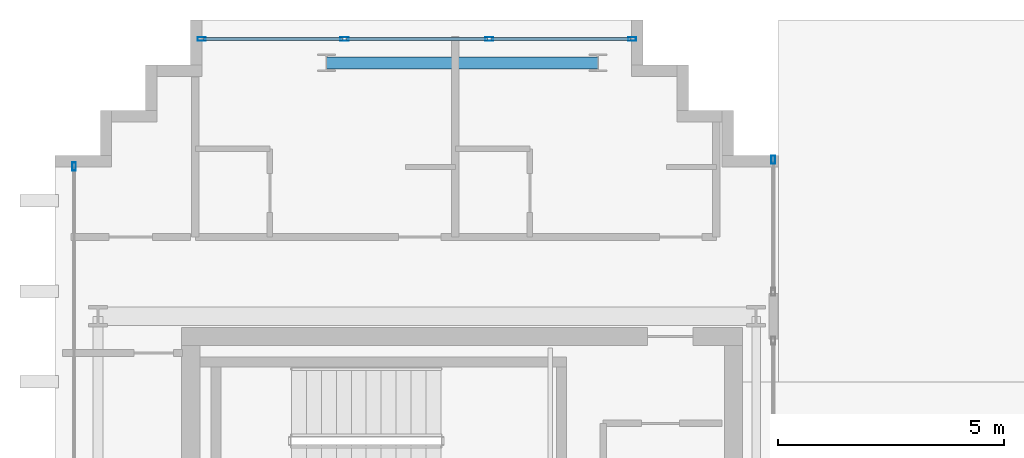
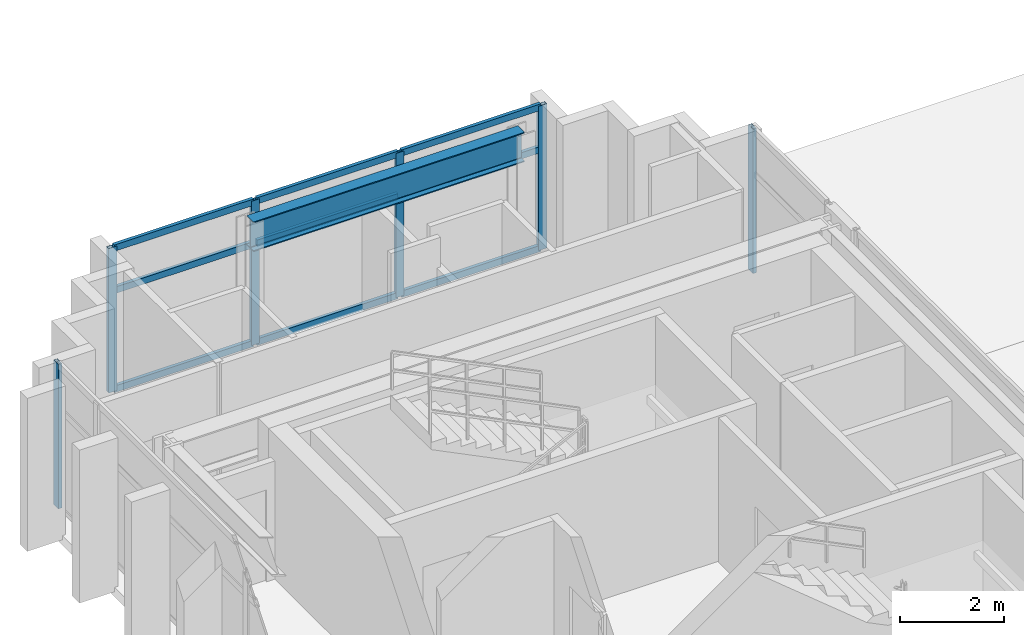
# One storey, part 16 of 25: 15 members, 1 beam, 3 elements without a shape of their own.
"""IFC4 building model written with IfcOpenShell, lengths in metres."""

from ifc_helpers import new_model, si_unit, direction, frame, origin, origin_2d, place, context, subcontext, project, spatial, hollow_rectangle, i_section, extrude, source, transform, mapped, material, layer, layer_set, material_profile, profile_set, type_object, element, aggregate, save


model = new_model("IFC4")

# Units and contexts
model_context = context("Model", 3, precision=1e-05, world=origin(), true_north=direction((0.0, 1.0)))
body_context = subcontext(model_context, "Body", "Model", "MODEL_VIEW")
ifc_project = project(units=[si_unit("LENGTHUNIT", "METRE"), si_unit("AREAUNIT", "SQUARE_METRE"), si_unit("VOLUMEUNIT", "CUBIC_METRE"), si_unit("PLANEANGLEUNIT", "RADIAN"), si_unit("MASSUNIT", "GRAM", prefix="KILO")], contexts=[model_context])

# Site, building, storey
site_placement = place(None, origin())
site = spatial("IfcSite", under=ifc_project, at=site_placement, CompositionType="ELEMENT")
building_placement = place(site_placement, origin())
building = spatial("IfcBuilding", under=site, at=building_placement, Name="Ocotamira Hotel", CompositionType="ELEMENT")
storey_placement = place(building_placement, frame((0.0, 0.0, 250.800048828125)))
storey = spatial("IfcBuildingStorey", under=building, at=storey_placement, Name="L63", CompositionType="ELEMENT", Elevation=250.800048828125)

# Beam
ifc_material_1 = material(Name="Steel ASTM A992 Grade 50", Category="steel")
ifc_material_profile_1 = material_profile(ifc_material_1, i_section(OverallWidth=0.256103515625, OverallDepth=0.693115234375, WebThickness=0.014404296875, FlangeThickness=0.023681640625, FilletRadius=0.01611328125, at=origin_2d()), Name="W27X114")
ifc_profile_set_1 = profile_set([ifc_material_profile_1], Name="Steel ASTM A992 Grade 50")
beam_type = type_object("IfcBeamType", Name="BM-PRIM-W27X114", PredefinedType="BEAM", material=ifc_profile_set_1)
shared_shape_1 = source(origin(), body_context, "Body", "SweptSolid", [
    extrude(i_section(OverallWidth=0.256103515625, OverallDepth=0.693115234375, WebThickness=0.014404296875, FlangeThickness=0.023681640625, FilletRadius=0.01611328125, at=origin_2d()), origin(), (0.0, 0.0, 1.0), 6.0),
])
beam_placement = place(storey_placement, frame((14.0, 43.050048828125, 3.033447265625), z_axis=(1.0, 0.0, 0.0), x_axis=(0.0, 1.0, 0.0)))
element("IfcBeam", 1, at=beam_placement, inside=storey, type_object=beam_type, Name="L63 Girder Y43.05 X14-20", PredefinedType="BEAM", context=body_context, shape_type="MappedRepresentation", body=[
    mapped(shared_shape_1, transform((0.0, 0.0, 0.0), scale=1.0)),
])

# Curtain wall, members
ifc_material_2 = material(Name="Anodised pale-metal aluminium and solar glass", Category="aluminium")
ifc_layer = layer(ifc_material_2, 0.2099609375)
ifc_layer_set = layer_set([ifc_layer], Name="Anodised pale-metal aluminium and solar glass")
curtain_wall_type = type_object("IfcCurtainWallType", Name="CW-SYS7-PEAK", PredefinedType="NOTDEFINED", material=ifc_layer_set)
curtain_wall_1_placement = place(storey_placement, origin())
curtain_wall_1 = element("IfcCurtainWall", 2, at=curtain_wall_1_placement, inside=storey, type_object=curtain_wall_type, Name="L63 Curtain Wall CW-7 CW-L63-WN", PredefinedType="NOTDEFINED")
ifc_material_3 = material(Name="Anodised pale-metal aluminium 6063-T6", Category="aluminium")
ifc_material_profile_2 = material_profile(ifc_material_3, hollow_rectangle(XDim=0.080078125, YDim=0.179931640625, WallThickness=0.006103515625, at=origin_2d()), Name="HSS180X80X6")
ifc_profile_set_2 = profile_set([ifc_material_profile_2], Name="Anodised pale-metal aluminium 6063-T6")
member_type_1 = type_object("IfcMemberType", Name="CWM-180X75", PredefinedType="MULLION", material=ifc_profile_set_2)
shared_shape_2 = source(origin(), body_context, "Body", "SweptSolid", [
    extrude(hollow_rectangle(XDim=0.080078125, YDim=0.179931640625, WallThickness=0.006103515625, at=origin_2d()), origin(), (0.0, 0.0, 1.0), 3.3798828125),
])
member_1_placement = place(storey_placement, frame((11.239990234375, 43.580078125, 0.0), z_axis=(0.0, 0.0, 1.0), x_axis=(0.0, 1.0, 0.0)))
member_1 = element("IfcMember", 3, at=member_1_placement, type_object=member_type_1, Name="CW-7 mullion 1", PredefinedType="MULLION", context=body_context, shape_type="MappedRepresentation", body=[
    mapped(shared_shape_2, transform((0.0, 0.0, 0.0), scale=1.0)),
])
member_2_placement = place(storey_placement, frame((14.39990234375, 43.580078125, 0.0), z_axis=(0.0, 0.0, 1.0), x_axis=(0.0, 1.0, 0.0)))
member_2 = element("IfcMember", 4, at=member_2_placement, type_object=member_type_1, Name="CW-7 mullion 2", PredefinedType="MULLION", context=body_context, shape_type="MappedRepresentation", body=[
    mapped(shared_shape_2, transform((0.0, 0.0, 0.0), scale=1.0)),
])
member_3_placement = place(storey_placement, frame((17.60009765625, 43.580078125, 0.0), z_axis=(0.0, 0.0, 1.0), x_axis=(0.0, 1.0, 0.0)))
member_3 = element("IfcMember", 5, at=member_3_placement, type_object=member_type_1, Name="CW-7 mullion 3", PredefinedType="MULLION", context=body_context, shape_type="MappedRepresentation", body=[
    mapped(shared_shape_2, transform((0.0, 0.0, 0.0), scale=1.0)),
])
member_4_placement = place(storey_placement, frame((20.760009765625, 43.580078125, 0.0), z_axis=(0.0, 0.0, 1.0), x_axis=(0.0, 1.0, 0.0)))
member_4 = element("IfcMember", 6, at=member_4_placement, type_object=member_type_1, Name="CW-7 mullion 4", PredefinedType="MULLION", context=body_context, shape_type="MappedRepresentation", body=[
    mapped(shared_shape_2, transform((0.0, 0.0, 0.0), scale=1.0)),
])

# Curtain wall, member
curtain_wall_2_placement = place(storey_placement, origin())
curtain_wall_2 = element("IfcCurtainWall", 7, at=curtain_wall_2_placement, inside=storey, type_object=curtain_wall_type, Name="L63 Curtain Wall CW-7 CW-L63-WO2", PredefinedType="NOTDEFINED")
member_5_placement = place(storey_placement, frame((8.419921875, 40.760009765625, 0.0), z_axis=(0.0, 0.0, 1.0), x_axis=(-1.0, 0.0, 0.0)))
member_5 = element("IfcMember", 8, at=member_5_placement, type_object=member_type_1, Name="CW-7 mullion 3", PredefinedType="MULLION", context=body_context, shape_type="MappedRepresentation", body=[
    mapped(shared_shape_2, transform((0.0, 0.0, 0.0), scale=1.0)),
])
aggregate(curtain_wall_2, [member_5])

curtain_wall_3_placement = place(storey_placement, origin())
curtain_wall_3 = element("IfcCurtainWall", 9, at=curtain_wall_3_placement, inside=storey, type_object=curtain_wall_type, Name="L63 Curtain Wall CW-7 CW-L63-WI4", PredefinedType="NOTDEFINED")
member_6_placement = place(storey_placement, frame((23.8798828125, 40.909912109375, 0.0), z_axis=(0.0, 0.0, 1.0), x_axis=(-1.0, 0.0, 0.0)))
member_6 = element("IfcMember", 10, at=member_6_placement, type_object=member_type_1, Name="CW-7 mullion 2", PredefinedType="MULLION", context=body_context, shape_type="MappedRepresentation", body=[
    mapped(shared_shape_2, transform((0.0, 0.0, 0.0), scale=1.0)),
])
aggregate(curtain_wall_3, [member_6])

# Member
ifc_material_profile_3 = material_profile(ifc_material_3, hollow_rectangle(XDim=0.074951171875, YDim=0.14990234375, WallThickness=0.006103515625, at=origin_2d()), Name="HSS150X75X6")
ifc_profile_set_3 = profile_set([ifc_material_profile_3], Name="Anodised pale-metal aluminium 6063-T6")
member_type_2 = type_object("IfcMemberType", Name="CWT-150X75", PredefinedType="USERDEFINED", material=ifc_profile_set_3)
shared_shape_3 = source(origin(), body_context, "Body", "SweptSolid", [
    extrude(hollow_rectangle(XDim=0.074951171875, YDim=0.14990234375, WallThickness=0.006103515625, at=origin_2d()), origin(), (0.0, 0.0, 1.0), 3.080078125),
])
member_7_placement = place(storey_placement, frame((11.280029296875, 43.580078125, 0.037353515625), z_axis=(1.0, 0.0, 0.0), x_axis=(0.0, 1.0, 0.0)))
member_7 = element("IfcMember", 11, at=member_7_placement, type_object=member_type_2, Name="CW-7 transom 1.1", ObjectType="TRANSOM", PredefinedType="USERDEFINED", context=body_context, shape_type="MappedRepresentation", body=[
    mapped(shared_shape_3, transform((0.0, 0.0, 0.0), scale=1.0)),
])

member_8_placement = place(storey_placement, frame((11.280029296875, 43.580078125, 2.349853515625), z_axis=(1.0, 0.0, 0.0), x_axis=(0.0, 1.0, 0.0)))
member_8 = element("IfcMember", 12, at=member_8_placement, type_object=member_type_2, Name="CW-7 transom 1.2", ObjectType="TRANSOM", PredefinedType="USERDEFINED", context=body_context, shape_type="MappedRepresentation", body=[
    mapped(shared_shape_3, transform((0.0, 0.0, 0.0), scale=1.0)),
])

member_9_placement = place(storey_placement, frame((11.280029296875, 43.580078125, 3.342529296875), z_axis=(1.0, 0.0, 0.0), x_axis=(0.0, 1.0, 0.0)))
member_9 = element("IfcMember", 13, at=member_9_placement, type_object=member_type_2, Name="CW-7 transom 1.3", ObjectType="TRANSOM", PredefinedType="USERDEFINED", context=body_context, shape_type="MappedRepresentation", body=[
    mapped(shared_shape_3, transform((0.0, 0.0, 0.0), scale=1.0)),
])

member_10_placement = place(storey_placement, frame((17.639892578125, 43.580078125, 0.037353515625), z_axis=(1.0, 0.0, 0.0), x_axis=(0.0, 1.0, 0.0)))
member_10 = element("IfcMember", 14, at=member_10_placement, type_object=member_type_2, Name="CW-7 transom 3.1", ObjectType="TRANSOM", PredefinedType="USERDEFINED", context=body_context, shape_type="MappedRepresentation", body=[
    mapped(shared_shape_3, transform((0.0, 0.0, 0.0), scale=1.0)),
])

member_11_placement = place(storey_placement, frame((17.639892578125, 43.580078125, 2.349853515625), z_axis=(1.0, 0.0, 0.0), x_axis=(0.0, 1.0, 0.0)))
member_11 = element("IfcMember", 15, at=member_11_placement, type_object=member_type_2, Name="CW-7 transom 3.2", ObjectType="TRANSOM", PredefinedType="USERDEFINED", context=body_context, shape_type="MappedRepresentation", body=[
    mapped(shared_shape_3, transform((0.0, 0.0, 0.0), scale=1.0)),
])

member_12_placement = place(storey_placement, frame((17.639892578125, 43.580078125, 3.342529296875), z_axis=(1.0, 0.0, 0.0), x_axis=(0.0, 1.0, 0.0)))
member_12 = element("IfcMember", 16, at=member_12_placement, type_object=member_type_2, Name="CW-7 transom 3.3", ObjectType="TRANSOM", PredefinedType="USERDEFINED", context=body_context, shape_type="MappedRepresentation", body=[
    mapped(shared_shape_3, transform((0.0, 0.0, 0.0), scale=1.0)),
])

shared_shape_4 = source(origin(), body_context, "Body", "SweptSolid", [
    extrude(hollow_rectangle(XDim=0.074951171875, YDim=0.14990234375, WallThickness=0.006103515625, at=origin_2d()), origin(), (0.0, 0.0, 1.0), 3.1201171875),
])
member_13_placement = place(storey_placement, frame((14.43994140625, 43.580078125, 0.037353515625), z_axis=(1.0, 0.0, 0.0), x_axis=(0.0, 1.0, 0.0)))
member_13 = element("IfcMember", 17, at=member_13_placement, type_object=member_type_2, Name="CW-7 transom 2.1", ObjectType="TRANSOM", PredefinedType="USERDEFINED", context=body_context, shape_type="MappedRepresentation", body=[
    mapped(shared_shape_4, transform((0.0, 0.0, 0.0), scale=1.0)),
])

member_14_placement = place(storey_placement, frame((14.43994140625, 43.580078125, 2.349853515625), z_axis=(1.0, 0.0, 0.0), x_axis=(0.0, 1.0, 0.0)))
member_14 = element("IfcMember", 18, at=member_14_placement, type_object=member_type_2, Name="CW-7 transom 2.2", ObjectType="TRANSOM", PredefinedType="USERDEFINED", context=body_context, shape_type="MappedRepresentation", body=[
    mapped(shared_shape_4, transform((0.0, 0.0, 0.0), scale=1.0)),
])

member_15_placement = place(storey_placement, frame((14.43994140625, 43.580078125, 3.342529296875), z_axis=(1.0, 0.0, 0.0), x_axis=(0.0, 1.0, 0.0)))
member_15 = element("IfcMember", 19, at=member_15_placement, type_object=member_type_2, Name="CW-7 transom 2.3", ObjectType="TRANSOM", PredefinedType="USERDEFINED", context=body_context, shape_type="MappedRepresentation", body=[
    mapped(shared_shape_4, transform((0.0, 0.0, 0.0), scale=1.0)),
])

aggregate(curtain_wall_1, [member_1, member_2, member_3, member_4, member_7, member_8, member_9, member_13, member_14, member_15, member_10, member_11, member_12])

save(model, "model.ifc")
